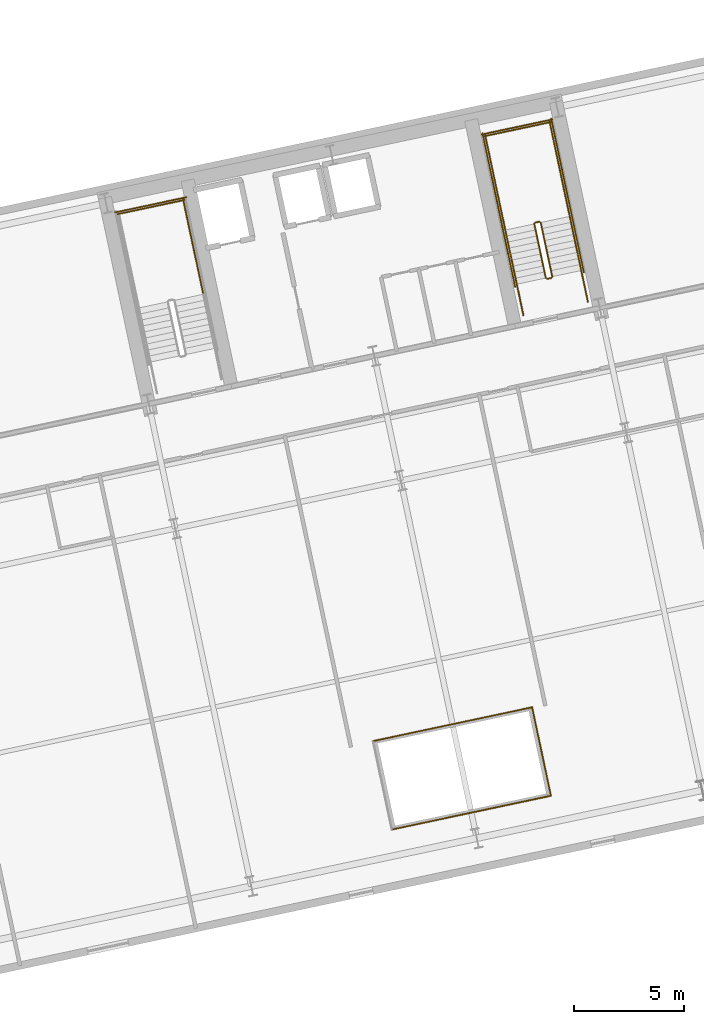
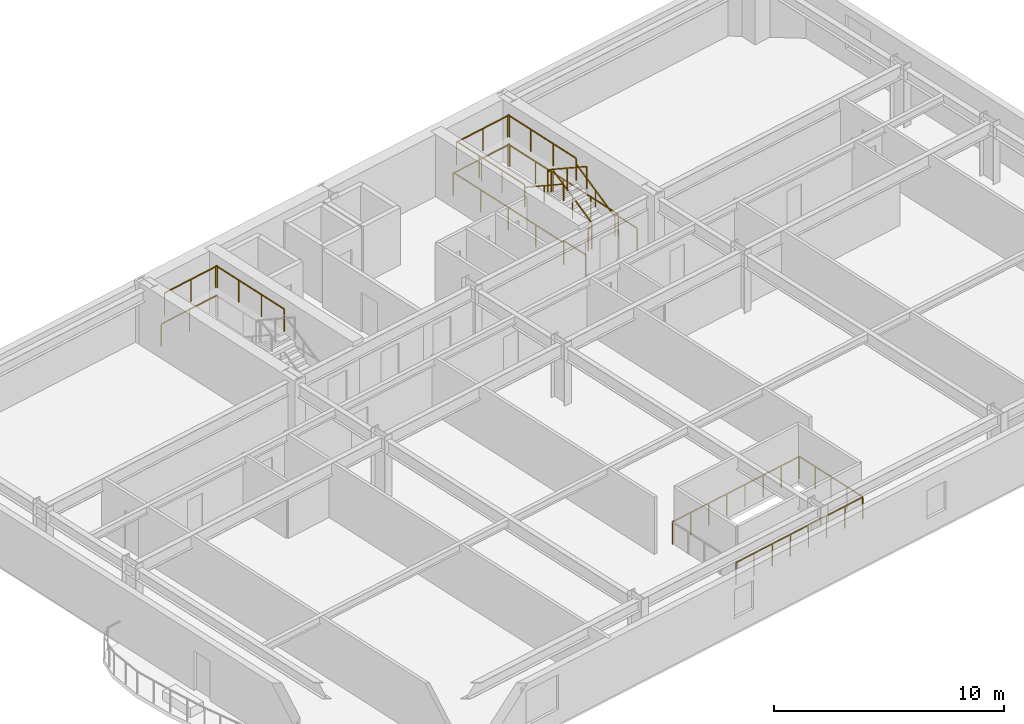
# One storey, part 15 of 16: 20 railings.
"""IFC4 building model written with IfcOpenShell, lengths in metres."""

from ifc_helpers import new_model, si_unit, direction, frame, origin, origin_2d, place, context, subcontext, project, spatial, rectangle, extrude, material, type_object, element, save


model = new_model("IFC4")

# Units and contexts
model_context = context("Model", 3, precision=1e-05, world=origin(), true_north=direction((0.0, 1.0)))
body_context = subcontext(model_context, "Body", "Model", "MODEL_VIEW")
ifc_project = project(units=[si_unit("LENGTHUNIT", "METRE"), si_unit("AREAUNIT", "SQUARE_METRE"), si_unit("VOLUMEUNIT", "CUBIC_METRE"), si_unit("PLANEANGLEUNIT", "RADIAN"), si_unit("MASSUNIT", "GRAM", prefix="KILO")], contexts=[model_context])

# Site, building, storey
site_placement = place(None, origin())
site = spatial("IfcSite", under=ifc_project, at=site_placement, CompositionType="ELEMENT")
building_placement = place(site_placement, origin())
building = spatial("IfcBuilding", under=site, at=building_placement, Name="Haevon Station Towers", CompositionType="ELEMENT")
storey_placement = place(building_placement, frame((0.0, 0.0, 43.800048828125)))
storey = spatial("IfcBuildingStorey", under=building, at=storey_placement, Name="L10", CompositionType="ELEMENT", Elevation=43.800048828125)

# Railings
ifc_material = material(Name="Steel S355", Category="steel")
railing_type_1 = type_object("IfcRailingType", Name="BAL-ATR1200", PredefinedType="BALUSTRADE", material=ifc_material)
railing_1_placement = place(storey_placement, frame((109.81884765625, 18.0615234375, 0.0)))
element("IfcRailing", 1, at=railing_1_placement, inside=storey, type_object=railing_type_1, Name="L10 Atrium Void Balustrade 1", PredefinedType="BALUSTRADE", context=body_context, shape_type="SweptSolid", body=[
    extrude(rectangle(XDim=0.048095703125, YDim=0.048095703125, at=origin_2d()), frame((0.0, 0.0, 1.17578125), z_axis=(0.978148717371, 0.207906437384, 0.0), x_axis=(-0.207906437384, 0.978148717371, 0.0)), (0.0, 0.0, 1.0), 7.40966796875),
    extrude(rectangle(XDim=0.0419921875, YDim=0.0419921875, at=origin_2d()), origin(), (0.0, 0.0, 1.0), 1.15185546875),
    extrude(rectangle(XDim=0.0419921875, YDim=0.0419921875, at=origin_2d()), frame((1.035400390625, 0.219970703125, 0.0)), (0.0, 0.0, 1.0), 1.15185546875),
    extrude(rectangle(XDim=0.0419921875, YDim=0.0419921875, at=origin_2d()), frame((2.07080078125, 0.440185546875, 0.0)), (0.0, 0.0, 1.0), 1.15185546875),
    extrude(rectangle(XDim=0.0419921875, YDim=0.0419921875, at=origin_2d()), frame((3.106201171875, 0.66015625, 0.0)), (0.0, 0.0, 1.0), 1.15185546875),
    extrude(rectangle(XDim=0.0419921875, YDim=0.0419921875, at=origin_2d()), frame((4.1416015625, 0.88037109375, 0.0)), (0.0, 0.0, 1.0), 1.15185546875),
    extrude(rectangle(XDim=0.0419921875, YDim=0.0419921875, at=origin_2d()), frame((5.177001953125, 1.100341796875, 0.0)), (0.0, 0.0, 1.0), 1.15185546875),
    extrude(rectangle(XDim=0.0419921875, YDim=0.0419921875, at=origin_2d()), frame((6.21240234375, 1.320556640625, 0.0)), (0.0, 0.0, 1.0), 1.15185546875),
    extrude(rectangle(XDim=0.0419921875, YDim=0.0419921875, at=origin_2d()), frame((7.247802734375, 1.54052734375, 0.0)), (0.0, 0.0, 1.0), 1.15185546875),
])
railing_2_placement = place(storey_placement, frame((117.066650390625, 19.60205078125, 0.0)))
element("IfcRailing", 2, at=railing_2_placement, inside=storey, type_object=railing_type_1, Name="L10 Atrium Void Balustrade 2", PredefinedType="BALUSTRADE", context=body_context, shape_type="SweptSolid", body=[
    extrude(rectangle(XDim=0.048095703125, YDim=0.048095703125, at=origin_2d()), frame((0.0, 0.0, 1.17578125), z_axis=(-0.207928976297, 0.978143926432, 0.0), x_axis=(-0.978143926432, -0.207928976297, 0.0)), (0.0, 0.0, 1.0), 4.11669921875),
    extrude(rectangle(XDim=0.0419921875, YDim=0.0419921875, at=origin_2d()), origin(), (0.0, 0.0, 1.0), 1.15185546875),
    extrude(rectangle(XDim=0.0419921875, YDim=0.0419921875, at=origin_2d()), frame((-0.2138671875, 1.006591796875, 0.0)), (0.0, 0.0, 1.0), 1.15185546875),
    extrude(rectangle(XDim=0.0419921875, YDim=0.0419921875, at=origin_2d()), frame((-0.427978515625, 2.01318359375, 0.0)), (0.0, 0.0, 1.0), 1.15185546875),
    extrude(rectangle(XDim=0.0419921875, YDim=0.0419921875, at=origin_2d()), frame((-0.64208984375, 3.02001953125, 0.0)), (0.0, 0.0, 1.0), 1.15185546875),
    extrude(rectangle(XDim=0.0419921875, YDim=0.0419921875, at=origin_2d()), frame((-0.85595703125, 4.026611328125, 0.0)), (0.0, 0.0, 1.0), 1.15185546875),
])
railing_3_placement = place(storey_placement, frame((116.210693359375, 23.628662109375, 0.0)))
element("IfcRailing", 3, at=railing_3_placement, inside=storey, type_object=railing_type_1, Name="L10 Atrium Void Balustrade 3", PredefinedType="BALUSTRADE", context=body_context, shape_type="SweptSolid", body=[
    extrude(rectangle(XDim=0.048095703125, YDim=0.048095703125, at=origin_2d()), frame((0.0, 0.0, 1.17578125), z_axis=(-0.978148717371, -0.207906437384, 0.0), x_axis=(0.207906437384, -0.978148717371, 0.0)), (0.0, 0.0, 1.0), 7.40966796875),
    extrude(rectangle(XDim=0.0419921875, YDim=0.0419921875, at=origin_2d()), origin(), (0.0, 0.0, 1.0), 1.15185546875),
    extrude(rectangle(XDim=0.0419921875, YDim=0.0419921875, at=origin_2d()), frame((-1.035400390625, -0.219970703125, 0.0)), (0.0, 0.0, 1.0), 1.15185546875),
    extrude(rectangle(XDim=0.0419921875, YDim=0.0419921875, at=origin_2d()), frame((-2.07080078125, -0.440185546875, 0.0)), (0.0, 0.0, 1.0), 1.15185546875),
    extrude(rectangle(XDim=0.0419921875, YDim=0.0419921875, at=origin_2d()), frame((-3.106201171875, -0.66015625, 0.0)), (0.0, 0.0, 1.0), 1.15185546875),
    extrude(rectangle(XDim=0.0419921875, YDim=0.0419921875, at=origin_2d()), frame((-4.1416015625, -0.88037109375, 0.0)), (0.0, 0.0, 1.0), 1.15185546875),
    extrude(rectangle(XDim=0.0419921875, YDim=0.0419921875, at=origin_2d()), frame((-5.177001953125, -1.100341796875, 0.0)), (0.0, 0.0, 1.0), 1.15185546875),
    extrude(rectangle(XDim=0.0419921875, YDim=0.0419921875, at=origin_2d()), frame((-6.21240234375, -1.320556640625, 0.0)), (0.0, 0.0, 1.0), 1.15185546875),
    extrude(rectangle(XDim=0.0419921875, YDim=0.0419921875, at=origin_2d()), frame((-7.247802734375, -1.54052734375, 0.0)), (0.0, 0.0, 1.0), 1.15185546875),
])
railing_type_2 = type_object("IfcRailingType", Name="GRD-STR1200", PredefinedType="GUARDRAIL", material=ifc_material)
railing_4_placement = place(storey_placement, frame((101.238037109375, 42.4384765625, 1.64990234375)))
element("IfcRailing", 4, at=railing_4_placement, inside=storey, type_object=railing_type_2, Name="L10 ST3 Stair Guard 3", PredefinedType="GUARDRAIL", context=body_context, shape_type="SweptSolid", body=[
    extrude(rectangle(XDim=0.048095703125, YDim=0.048095703125, at=origin_2d()), frame((0.0, 0.0, 1.17578125), z_axis=(-0.20794048909, 0.978141479029, 0.0), x_axis=(-0.978141479029, -0.20794048909, 0.0)), (0.0, 0.0, 1.0), 4.429931640625),
    extrude(rectangle(XDim=0.0419921875, YDim=0.0419921875, at=origin_2d()), origin(), (0.0, 0.0, 1.0), 1.15185546875),
    extrude(rectangle(XDim=0.0419921875, YDim=0.0419921875, at=origin_2d()), frame((-0.30712890625, 1.4443359375, 0.0)), (0.0, 0.0, 1.0), 1.15185546875),
    extrude(rectangle(XDim=0.0419921875, YDim=0.0419921875, at=origin_2d()), frame((-0.614013671875, 2.888671875, 0.0)), (0.0, 0.0, 1.0), 1.15185546875),
    extrude(rectangle(XDim=0.0419921875, YDim=0.0419921875, at=origin_2d()), frame((-0.921142578125, 4.3330078125, 0.0)), (0.0, 0.0, 1.0), 1.15185546875),
])
railing_5_placement = place(storey_placement, frame((100.376220703125, 46.733154296875, 1.64990234375)))
element("IfcRailing", 5, at=railing_5_placement, inside=storey, type_object=railing_type_2, Name="L10 ST3 Stair Guard 5", PredefinedType="GUARDRAIL", context=body_context, shape_type="SweptSolid", body=[
    extrude(rectangle(XDim=0.048095703125, YDim=0.048095703125, at=origin_2d()), frame((0.0, 0.0, 1.17578125), z_axis=(-0.978146839882, -0.207915270313, 0.0), x_axis=(0.207915270313, -0.978146839882, 0.0)), (0.0, 0.0, 1.0), 3.099853515625),
    extrude(rectangle(XDim=0.0419921875, YDim=0.0419921875, at=origin_2d()), origin(), (0.0, 0.0, 1.0), 1.15185546875),
    extrude(rectangle(XDim=0.0419921875, YDim=0.0419921875, at=origin_2d()), frame((-1.51611328125, -0.322265625, 0.0)), (0.0, 0.0, 1.0), 1.15185546875),
    extrude(rectangle(XDim=0.0419921875, YDim=0.0419921875, at=origin_2d()), frame((-3.0322265625, -0.64453125, 0.0)), (0.0, 0.0, 1.0), 1.15185546875),
])
railing_6_placement = place(storey_placement, frame((100.453125, 46.8515625, 0.0)))
element("IfcRailing", 6, at=railing_6_placement, inside=storey, type_object=railing_type_2, Name="L10 ST3 Stair Guard 12", PredefinedType="GUARDRAIL", context=body_context, shape_type="SweptSolid", body=[
    extrude(rectangle(XDim=0.048095703125, YDim=0.048095703125, at=origin_2d()), frame((0.0, 0.0, 1.17578125), z_axis=(-0.978150764849, -0.207896804268, 0.0), x_axis=(0.207896804268, -0.978150764849, 0.0)), (0.0, 0.0, 1.0), 3.2998046875),
    extrude(rectangle(XDim=0.0419921875, YDim=0.0419921875, at=origin_2d()), origin(), (0.0, 0.0, 1.0), 1.15185546875),
    extrude(rectangle(XDim=0.0419921875, YDim=0.0419921875, at=origin_2d()), frame((-1.61376953125, -0.343017578125, 0.0)), (0.0, 0.0, 1.0), 1.15185546875),
    extrude(rectangle(XDim=0.0419921875, YDim=0.0419921875, at=origin_2d()), frame((-3.227783203125, -0.68603515625, 0.0)), (0.0, 0.0, 1.0), 1.15185546875),
])
railing_7_placement = place(storey_placement, frame((117.128662109375, 43.23974609375, 0.1650390625)))
element("IfcRailing", 7, at=railing_7_placement, inside=storey, type_object=railing_type_2, Name="L10 ST4 Stair Guard 1", PredefinedType="GUARDRAIL", context=body_context, shape_type="SweptSolid", body=[
    extrude(rectangle(XDim=0.048095703125, YDim=0.048095703125, at=origin_2d()), frame((0.0, 0.0, 1.17578125), z_axis=(-0.179128856099, 0.842723639875, 0.507670877349), x_axis=(-0.978147030254, -0.207914374695, 0.0)), (0.0, 0.0, 1.0), 2.9248046875),
    extrude(rectangle(XDim=0.0419921875, YDim=0.0419921875, at=origin_2d()), origin(), (0.0, 0.0, 1.0), 1.15185546875),
    extrude(rectangle(XDim=0.0419921875, YDim=0.0419921875, at=origin_2d()), frame((-0.261962890625, 1.232421875, 0.742431640625)), (0.0, 0.0, 1.0), 1.15185546875),
    extrude(rectangle(XDim=0.0419921875, YDim=0.0419921875, at=origin_2d()), frame((-0.52392578125, 2.46484375, 1.48486328125)), (0.0, 0.0, 1.0), 1.15185546875),
])
railing_8_placement = place(storey_placement, frame((116.54541015625, 45.7431640625, 1.64990234375)))
element("IfcRailing", 8, at=railing_8_placement, inside=storey, type_object=railing_type_2, Name="L10 ST4 Stair Guard 2", PredefinedType="GUARDRAIL", context=body_context, shape_type="SweptSolid", body=[
    extrude(rectangle(XDim=0.048095703125, YDim=0.048095703125, at=origin_2d()), frame((0.0, 0.0, 1.17578125), z_axis=(-0.97826412705, -0.207362720198, 0.0), x_axis=(0.207362720198, -0.97826412705, 0.0)), (0.0, 0.0, 1.0), 0.2001953125),
    extrude(rectangle(XDim=0.0419921875, YDim=0.0419921875, at=origin_2d()), origin(), (0.0, 0.0, 1.0), 1.15185546875),
    extrude(rectangle(XDim=0.0419921875, YDim=0.0419921875, at=origin_2d()), frame((-0.19580078125, -0.04150390625, 0.0)), (0.0, 0.0, 1.0), 1.15185546875),
])
railing_9_placement = place(storey_placement, frame((117.925048828125, 45.9853515625, 1.64990234375)))
element("IfcRailing", 9, at=railing_9_placement, inside=storey, type_object=railing_type_2, Name="L10 ST4 Stair Guard 3", PredefinedType="GUARDRAIL", context=body_context, shape_type="SweptSolid", body=[
    extrude(rectangle(XDim=0.048095703125, YDim=0.048095703125, at=origin_2d()), frame((0.0, 0.0, 1.17578125), z_axis=(-0.207876551949, 0.978155069071, 0.0), x_axis=(-0.978155069071, -0.207876551949, 0.0)), (0.0, 0.0, 1.0), 4.429931640625),
    extrude(rectangle(XDim=0.0419921875, YDim=0.0419921875, at=origin_2d()), origin(), (0.0, 0.0, 1.0), 1.15185546875),
    extrude(rectangle(XDim=0.0419921875, YDim=0.0419921875, at=origin_2d()), frame((-0.306884765625, 1.4443359375, 0.0)), (0.0, 0.0, 1.0), 1.15185546875),
    extrude(rectangle(XDim=0.0419921875, YDim=0.0419921875, at=origin_2d()), frame((-0.614013671875, 2.888916015625, 0.0)), (0.0, 0.0, 1.0), 1.15185546875),
    extrude(rectangle(XDim=0.0419921875, YDim=0.0419921875, at=origin_2d()), frame((-0.9208984375, 4.333251953125, 0.0)), (0.0, 0.0, 1.0), 1.15185546875),
])
railing_10_placement = place(storey_placement, frame((114.99072265625, 45.361572265625, 1.64990234375)))
element("IfcRailing", 10, at=railing_10_placement, inside=storey, type_object=railing_type_2, Name="L10 ST4 Stair Guard 4", PredefinedType="GUARDRAIL", context=body_context, shape_type="SweptSolid", body=[
    extrude(rectangle(XDim=0.048095703125, YDim=0.048095703125, at=origin_2d()), frame((0.0, 0.0, 1.17578125), z_axis=(-0.207929280007, 0.978143861871, 0.0), x_axis=(-0.978143861871, -0.207929280007, 0.0)), (0.0, 0.0, 1.0), 4.43017578125),
    extrude(rectangle(XDim=0.0419921875, YDim=0.0419921875, at=origin_2d()), origin(), (0.0, 0.0, 1.0), 1.15185546875),
    extrude(rectangle(XDim=0.0419921875, YDim=0.0419921875, at=origin_2d()), frame((-0.30712890625, 1.4443359375, 0.0)), (0.0, 0.0, 1.0), 1.15185546875),
    extrude(rectangle(XDim=0.0419921875, YDim=0.0419921875, at=origin_2d()), frame((-0.614013671875, 2.888916015625, 0.0)), (0.0, 0.0, 1.0), 1.15185546875),
    extrude(rectangle(XDim=0.0419921875, YDim=0.0419921875, at=origin_2d()), frame((-0.921142578125, 4.333251953125, 0.0)), (0.0, 0.0, 1.0), 1.15185546875),
])
railing_11_placement = place(storey_placement, frame((117.0634765625, 50.280029296875, 1.64990234375)))
element("IfcRailing", 11, at=railing_11_placement, inside=storey, type_object=railing_type_2, Name="L10 ST4 Stair Guard 5", PredefinedType="GUARDRAIL", context=body_context, shape_type="SweptSolid", body=[
    extrude(rectangle(XDim=0.048095703125, YDim=0.048095703125, at=origin_2d()), frame((0.0, 0.0, 1.17578125), z_axis=(-0.978146839882, -0.207915270313, 0.0), x_axis=(0.207915270313, -0.978146839882, 0.0)), (0.0, 0.0, 1.0), 3.099853515625),
    extrude(rectangle(XDim=0.0419921875, YDim=0.0419921875, at=origin_2d()), origin(), (0.0, 0.0, 1.0), 1.15185546875),
    extrude(rectangle(XDim=0.0419921875, YDim=0.0419921875, at=origin_2d()), frame((-1.51611328125, -0.322265625, 0.0)), (0.0, 0.0, 1.0), 1.15185546875),
    extrude(rectangle(XDim=0.0419921875, YDim=0.0419921875, at=origin_2d()), frame((-3.0322265625, -0.64453125, 0.0)), (0.0, 0.0, 1.0), 1.15185546875),
])
railing_12_placement = place(storey_placement, frame((116.311279296875, 45.642333984375, 1.81494140625)))
element("IfcRailing", 12, at=railing_12_placement, inside=storey, type_object=railing_type_2, Name="L10 ST4 Stair Guard 6", PredefinedType="GUARDRAIL", context=body_context, shape_type="SweptSolid", body=[
    extrude(rectangle(XDim=0.048095703125, YDim=0.048095703125, at=origin_2d()), frame((0.0, 0.0, 1.17578125), z_axis=(0.179108667068, -0.842712120868, 0.50769712105), x_axis=(0.978151217824, 0.207894673017, 0.0)), (0.0, 0.0, 1.0), 2.92529296875),
    extrude(rectangle(XDim=0.0419921875, YDim=0.0419921875, at=origin_2d()), origin(), (0.0, 0.0, 1.0), 1.15185546875),
    extrude(rectangle(XDim=0.0419921875, YDim=0.0419921875, at=origin_2d()), frame((0.261962890625, -1.232421875, 0.74267578125)), (0.0, 0.0, 1.0), 1.15185546875),
    extrude(rectangle(XDim=0.0419921875, YDim=0.0419921875, at=origin_2d()), frame((0.52392578125, -2.465087890625, 1.485107421875)), (0.0, 0.0, 1.0), 1.15185546875),
])
railing_13_placement = place(storey_placement, frame((117.090087890625, 43.180419921875, 0.0)))
element("IfcRailing", 13, at=railing_13_placement, inside=storey, type_object=railing_type_2, Name="L10 ST4 Stair Guard 7", PredefinedType="GUARDRAIL", context=body_context, shape_type="SweptSolid", body=[
    extrude(rectangle(XDim=0.048095703125, YDim=0.048095703125, at=origin_2d()), frame((0.0, 0.0, 1.17578125), z_axis=(-0.978211583308, -0.207610448392, 0.0), x_axis=(0.207610448392, -0.978211583308, 0.0)), (0.0, 0.0, 1.0), 0.199951171875),
    extrude(rectangle(XDim=0.0419921875, YDim=0.0419921875, at=origin_2d()), origin(), (0.0, 0.0, 1.0), 1.15185546875),
    extrude(rectangle(XDim=0.0419921875, YDim=0.0419921875, at=origin_2d()), frame((-0.195556640625, -0.04150390625, 0.0)), (0.0, 0.0, 1.0), 1.15185546875),
])
for number, where, name in (
    (14, (118.75048828125, 42.10205078125, 0.0), "L10 ST4 Stair Guard 8"),
    (15, (115.816162109375, 41.478271484375, 0.0), "L10 ST4 Stair Guard 9"),
):
    element("IfcRailing", number, at=place(storey_placement, frame(where)), inside=storey, type_object=railing_type_2, Name=name, PredefinedType="GUARDRAIL", context=body_context, shape_type="SweptSolid", body=[
        extrude(rectangle(XDim=0.048095703125, YDim=0.048095703125, at=origin_2d()), frame((0.0, 0.0, 1.17578125), z_axis=(-0.207919161079, 0.978146012851, 0.0), x_axis=(-0.978146012851, -0.207919161079, 0.0)), (0.0, 0.0, 1.0), 1.4501953125),
        extrude(rectangle(XDim=0.0419921875, YDim=0.0419921875, at=origin_2d()), origin(), (0.0, 0.0, 1.0), 1.15185546875),
        extrude(rectangle(XDim=0.0419921875, YDim=0.0419921875, at=origin_2d()), frame((-0.301513671875, 1.41845703125, 0.0)), (0.0, 0.0, 1.0), 1.15185546875),
    ])
railing_14_placement = place(storey_placement, frame((118.567626953125, 43.443359375, 0.0)))
element("IfcRailing", 16, at=railing_14_placement, inside=storey, type_object=railing_type_2, Name="L10 ST4 Stair Guard 10", PredefinedType="GUARDRAIL", context=body_context, shape_type="SweptSolid", body=[
    extrude(rectangle(XDim=0.048095703125, YDim=0.048095703125, at=origin_2d()), frame((0.0, 0.0, 1.17578125), z_axis=(-0.207908168386, 0.978148349443, 0.0), x_axis=(-0.978148349443, -0.207908168386, 0.0)), (0.0, 0.0, 1.0), 7.150146484375),
    extrude(rectangle(XDim=0.0419921875, YDim=0.0419921875, at=origin_2d()), origin(), (0.0, 0.0, 1.0), 1.15185546875),
    extrude(rectangle(XDim=0.0419921875, YDim=0.0419921875, at=origin_2d()), frame((-0.37158203125, 1.74853515625, 0.0)), (0.0, 0.0, 1.0), 1.15185546875),
    extrude(rectangle(XDim=0.0419921875, YDim=0.0419921875, at=origin_2d()), frame((-0.7431640625, 3.4970703125, 0.0)), (0.0, 0.0, 1.0), 1.15185546875),
    extrude(rectangle(XDim=0.0419921875, YDim=0.0419921875, at=origin_2d()), frame((-1.114990234375, 5.245361328125, 0.0)), (0.0, 0.0, 1.0), 1.15185546875),
    extrude(rectangle(XDim=0.0419921875, YDim=0.0419921875, at=origin_2d()), frame((-1.486572265625, 6.993896484375, 0.0)), (0.0, 0.0, 1.0), 1.15185546875),
])
railing_15_placement = place(storey_placement, frame((115.4375, 42.778076171875, 0.0)))
element("IfcRailing", 17, at=railing_15_placement, inside=storey, type_object=railing_type_2, Name="L10 ST4 Stair Guard 11", PredefinedType="GUARDRAIL", context=body_context, shape_type="SweptSolid", body=[
    extrude(rectangle(XDim=0.048095703125, YDim=0.048095703125, at=origin_2d()), frame((0.0, 0.0, 1.17578125), z_axis=(-0.207882442208, 0.978153817261, 0.0), x_axis=(-0.978153817261, -0.207882442208, 0.0)), (0.0, 0.0, 1.0), 7.14990234375),
    extrude(rectangle(XDim=0.0419921875, YDim=0.0419921875, at=origin_2d()), origin(), (0.0, 0.0, 1.0), 1.15185546875),
    extrude(rectangle(XDim=0.0419921875, YDim=0.0419921875, at=origin_2d()), frame((-0.37158203125, 1.74853515625, 0.0)), (0.0, 0.0, 1.0), 1.15185546875),
    extrude(rectangle(XDim=0.0419921875, YDim=0.0419921875, at=origin_2d()), frame((-0.7431640625, 3.496826171875, 0.0)), (0.0, 0.0, 1.0), 1.15185546875),
    extrude(rectangle(XDim=0.0419921875, YDim=0.0419921875, at=origin_2d()), frame((-1.11474609375, 5.2451171875, 0.0)), (0.0, 0.0, 1.0), 1.15185546875),
    extrude(rectangle(XDim=0.0419921875, YDim=0.0419921875, at=origin_2d()), frame((-1.486328125, 6.99365234375, 0.0)), (0.0, 0.0, 1.0), 1.15185546875),
])
railing_16_placement = place(storey_placement, frame((117.140380859375, 50.398681640625, 0.0)))
element("IfcRailing", 18, at=railing_16_placement, inside=storey, type_object=railing_type_2, Name="L10 ST4 Stair Guard 12", PredefinedType="GUARDRAIL", context=body_context, shape_type="SweptSolid", body=[
    extrude(rectangle(XDim=0.048095703125, YDim=0.048095703125, at=origin_2d()), frame((0.0, 0.0, 1.17578125), z_axis=(-0.978135717418, -0.207967589567, 0.0), x_axis=(0.207967589567, -0.978135717418, 0.0)), (0.0, 0.0, 1.0), 3.300048828125),
    extrude(rectangle(XDim=0.0419921875, YDim=0.0419921875, at=origin_2d()), origin(), (0.0, 0.0, 1.0), 1.15185546875),
    extrude(rectangle(XDim=0.0419921875, YDim=0.0419921875, at=origin_2d()), frame((-1.61376953125, -0.34326171875, 0.0)), (0.0, 0.0, 1.0), 1.15185546875),
    extrude(rectangle(XDim=0.0419921875, YDim=0.0419921875, at=origin_2d()), frame((-3.227783203125, -0.686279296875, 0.0)), (0.0, 0.0, 1.0), 1.15185546875),
])
railing_type_3 = type_object("IfcRailingType", Name="HND-STR900", PredefinedType="HANDRAIL", material=ifc_material)
railing_17_placement = place(storey_placement, frame((118.448974609375, 43.5205078125, 0.1650390625)))
element("IfcRailing", 19, at=railing_17_placement, inside=storey, type_object=railing_type_3, Name="L10 ST4 Stair Handrail 1", PredefinedType="HANDRAIL", context=body_context, shape_type="SweptSolid", body=[
    extrude(rectangle(XDim=0.048095703125, YDim=0.048095703125, at=origin_2d()), frame((0.0, 0.0, 0.8759765625), z_axis=(-0.179128856099, 0.842723639875, 0.507670877349), x_axis=(-0.978147030254, -0.207914374695, 0.0)), (0.0, 0.0, 1.0), 2.9248046875),
    extrude(rectangle(XDim=0.0419921875, YDim=0.0419921875, at=origin_2d()), origin(), (0.0, 0.0, 1.0), 0.851806640625),
    extrude(rectangle(XDim=0.0419921875, YDim=0.0419921875, at=origin_2d()), frame((-0.261962890625, 1.232421875, 0.742431640625)), (0.0, 0.0, 1.0), 0.851806640625),
    extrude(rectangle(XDim=0.0419921875, YDim=0.0419921875, at=origin_2d()), frame((-0.52392578125, 2.46484375, 1.48486328125)), (0.0, 0.0, 1.0), 0.851806640625),
])
railing_18_placement = place(storey_placement, frame((114.99072265625, 45.361572265625, 1.81494140625)))
element("IfcRailing", 20, at=railing_18_placement, inside=storey, type_object=railing_type_3, Name="L10 ST4 Stair Handrail 2", PredefinedType="HANDRAIL", context=body_context, shape_type="SweptSolid", body=[
    extrude(rectangle(XDim=0.048095703125, YDim=0.048095703125, at=origin_2d()), frame((0.0, 0.0, 0.8759765625), z_axis=(0.179121265225, -0.842687928106, 0.507732831485), x_axis=(0.978147030254, 0.207914374695, 0.0)), (0.0, 0.0, 1.0), 2.925048828125),
    extrude(rectangle(XDim=0.0419921875, YDim=0.0419921875, at=origin_2d()), origin(), (0.0, 0.0, 1.0), 0.851806640625),
    extrude(rectangle(XDim=0.0419921875, YDim=0.0419921875, at=origin_2d()), frame((0.261962890625, -1.232421875, 0.74267578125)), (0.0, 0.0, 1.0), 0.851806640625),
    extrude(rectangle(XDim=0.0419921875, YDim=0.0419921875, at=origin_2d()), frame((0.52392578125, -2.46484375, 1.485107421875)), (0.0, 0.0, 1.0), 0.851806640625),
])

save(model, "model.ifc")
